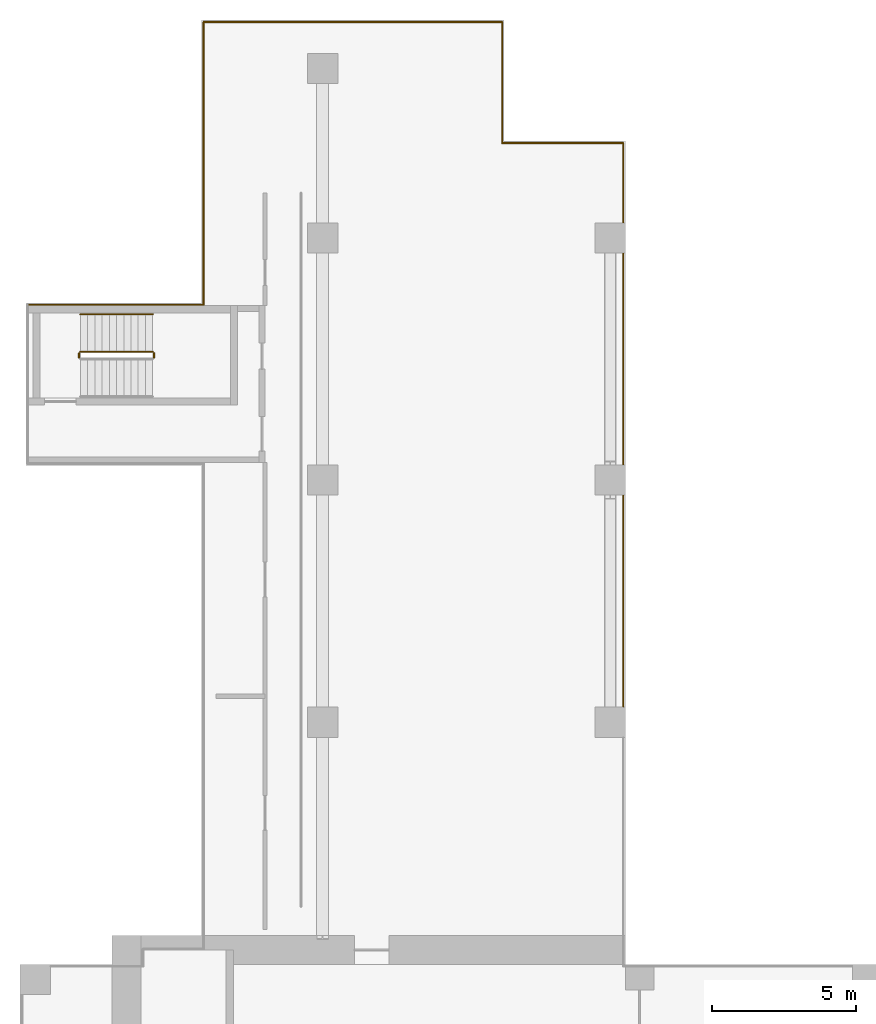
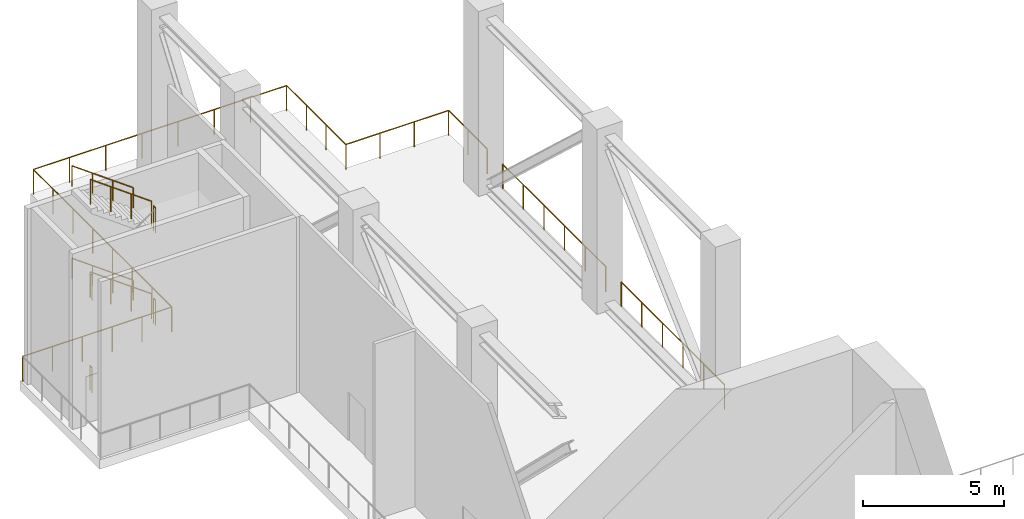
# One storey, part 9 of 10: 16 railings.
"""IFC4 building model written with IfcOpenShell, lengths in metres."""

from ifc_helpers import new_model, si_unit, direction, frame, origin, origin_2d, place, context, subcontext, project, spatial, circle, extrude, source, transform, mapped, material, type_object, element, save


model = new_model("IFC4")

# Units and contexts
model_context = context("Model", 3, precision=1e-05, world=origin(), true_north=direction((0.0, 1.0)))
body_context = subcontext(model_context, "Body", "Model", "MODEL_VIEW")
ifc_project = project(units=[si_unit("LENGTHUNIT", "METRE"), si_unit("AREAUNIT", "SQUARE_METRE"), si_unit("VOLUMEUNIT", "CUBIC_METRE"), si_unit("PLANEANGLEUNIT", "RADIAN"), si_unit("MASSUNIT", "GRAM", prefix="KILO")], contexts=[model_context])

# Site, building, storey
site_placement = place(None, origin())
site = spatial("IfcSite", under=ifc_project, at=site_placement, CompositionType="ELEMENT")
building_placement = place(site_placement, origin())
building = spatial("IfcBuilding", under=site, at=building_placement, Name="Aurelian Terraces", CompositionType="ELEMENT")
storey_placement = place(building_placement, frame((0.0, 0.0, 162.3)))
storey = spatial("IfcBuildingStorey", under=building, at=storey_placement, Name="L36", CompositionType="ELEMENT", Elevation=162.3)

# Railings
ifc_material_1 = material(Name="Anodised aluminium", Category="aluminium")
railing_type_1 = type_object("IfcRailingType", Name="GUARD-1100", PredefinedType="GUARDRAIL", material=ifc_material_1)
railing_1_placement = place(storey_placement, frame((0.27, 43.88, 0.0)))
element("IfcRailing", 1, at=railing_1_placement, inside=storey, type_object=railing_type_1, Name="Wind floor guard L36 24", PredefinedType="GUARDRAIL", context=body_context, shape_type="SweptSolid", body=[
    extrude(circle(Radius=0.024, at=origin_2d()), frame((0.0, 0.0, 1.076), z_axis=(1.0, 0.0, 0.0), x_axis=(0.0, 1.0, 0.0)), (0.0, 0.0, 1.0), 6.1),
    extrude(circle(Radius=0.021, at=origin_2d()), origin(), (0.0, 0.0, 1.0), 1.052),
    extrude(circle(Radius=0.021, at=origin_2d()), frame((1.22, 0.0, 0.0)), (0.0, 0.0, 1.0), 1.052),
    extrude(circle(Radius=0.021, at=origin_2d()), frame((2.44, 0.0, 0.0)), (0.0, 0.0, 1.0), 1.052),
    extrude(circle(Radius=0.021, at=origin_2d()), frame((3.66, 0.0, 0.0)), (0.0, 0.0, 1.0), 1.052),
    extrude(circle(Radius=0.021, at=origin_2d()), frame((4.88, 0.0, 0.0)), (0.0, 0.0, 1.0), 1.052),
    extrude(circle(Radius=0.021, at=origin_2d()), frame((6.1, 0.0, 0.0)), (0.0, 0.0, 1.0), 1.052),
])
railing_2_placement = place(storey_placement, frame((6.37, 43.88, 0.0)))
element("IfcRailing", 2, at=railing_2_placement, inside=storey, type_object=railing_type_1, Name="Wind floor guard L36 25", PredefinedType="GUARDRAIL", context=body_context, shape_type="SweptSolid", body=[
    extrude(circle(Radius=0.024, at=origin_2d()), frame((0.0, 0.0, 1.076), z_axis=(0.0, 1.0, 0.0), x_axis=(-1.0, 0.0, 0.0)), (0.0, 0.0, 1.0), 9.81),
    extrude(circle(Radius=0.021, at=origin_2d()), origin(), (0.0, 0.0, 1.0), 1.052),
    extrude(circle(Radius=0.021, at=origin_2d()), frame((0.0, 1.4014, 0.0)), (0.0, 0.0, 1.0), 1.052),
    extrude(circle(Radius=0.021, at=origin_2d()), frame((0.0, 2.8029, 0.0)), (0.0, 0.0, 1.0), 1.052),
    extrude(circle(Radius=0.021, at=origin_2d()), frame((0.0, 4.2043, 0.0)), (0.0, 0.0, 1.0), 1.052),
    extrude(circle(Radius=0.021, at=origin_2d()), frame((0.0, 5.6057, 0.0)), (0.0, 0.0, 1.0), 1.052),
    extrude(circle(Radius=0.021, at=origin_2d()), frame((0.0, 7.0071, 0.0)), (0.0, 0.0, 1.0), 1.052),
    extrude(circle(Radius=0.021, at=origin_2d()), frame((0.0, 8.4086, 0.0)), (0.0, 0.0, 1.0), 1.052),
    extrude(circle(Radius=0.021, at=origin_2d()), frame((0.0, 9.81, 0.0)), (0.0, 0.0, 1.0), 1.052),
])
railing_3_placement = place(storey_placement, frame((6.37, 53.69, 0.0)))
element("IfcRailing", 3, at=railing_3_placement, inside=storey, type_object=railing_type_1, Name="Wind floor guard L36 26", PredefinedType="GUARDRAIL", context=body_context, shape_type="SweptSolid", body=[
    extrude(circle(Radius=0.024, at=origin_2d()), frame((0.0, 0.0, 1.076), z_axis=(1.0, 0.0, 0.0), x_axis=(0.0, 1.0, 0.0)), (0.0, 0.0, 1.0), 10.36),
    extrude(circle(Radius=0.021, at=origin_2d()), origin(), (0.0, 0.0, 1.0), 1.052),
    extrude(circle(Radius=0.021, at=origin_2d()), frame((1.48, 0.0, 0.0)), (0.0, 0.0, 1.0), 1.052),
    extrude(circle(Radius=0.021, at=origin_2d()), frame((2.96, 0.0, 0.0)), (0.0, 0.0, 1.0), 1.052),
    extrude(circle(Radius=0.021, at=origin_2d()), frame((4.44, 0.0, 0.0)), (0.0, 0.0, 1.0), 1.052),
    extrude(circle(Radius=0.021, at=origin_2d()), frame((5.92, 0.0, 0.0)), (0.0, 0.0, 1.0), 1.052),
    extrude(circle(Radius=0.021, at=origin_2d()), frame((7.4, 0.0, 0.0)), (0.0, 0.0, 1.0), 1.052),
    extrude(circle(Radius=0.021, at=origin_2d()), frame((8.88, 0.0, 0.0)), (0.0, 0.0, 1.0), 1.052),
    extrude(circle(Radius=0.021, at=origin_2d()), frame((10.36, 0.0, 0.0)), (0.0, 0.0, 1.0), 1.052),
])
railing_4_placement = place(storey_placement, frame((20.93, 49.49, 0.0)))
element("IfcRailing", 4, at=railing_4_placement, inside=storey, type_object=railing_type_1, Name="Wind floor guard L36 29", PredefinedType="GUARDRAIL", context=body_context, shape_type="SweptSolid", body=[
    extrude(circle(Radius=0.024, at=origin_2d()), frame((0.0, 0.0, 1.076), z_axis=(0.0, -1.0, 0.0), x_axis=(1.0, 0.0, 0.0)), (0.0, 0.0, 1.0), 2.745),
    extrude(circle(Radius=0.021, at=origin_2d()), origin(), (0.0, 0.0, 1.0), 1.052),
    extrude(circle(Radius=0.021, at=origin_2d()), frame((0.0, -1.3725, 0.0)), (0.0, 0.0, 1.0), 1.052),
    extrude(circle(Radius=0.021, at=origin_2d()), frame((0.0, -2.745, 0.0)), (0.0, 0.0, 1.0), 1.052),
])
railing_5_placement = place(storey_placement, frame((20.93, 45.655, 0.0)))
element("IfcRailing", 5, at=railing_5_placement, inside=storey, type_object=railing_type_1, Name="Wind floor guard L36 30", PredefinedType="GUARDRAIL", context=body_context, shape_type="SweptSolid", body=[
    extrude(circle(Radius=0.024, at=origin_2d()), frame((0.0, 0.0, 1.076), z_axis=(0.0, -1.0, 0.0), x_axis=(1.0, 0.0, 0.0)), (0.0, 0.0, 1.0), 7.31),
    extrude(circle(Radius=0.021, at=origin_2d()), origin(), (0.0, 0.0, 1.0), 1.052),
    extrude(circle(Radius=0.021, at=origin_2d()), frame((0.0, -1.462, 0.0)), (0.0, 0.0, 1.0), 1.052),
    extrude(circle(Radius=0.021, at=origin_2d()), frame((0.0, -2.924, 0.0)), (0.0, 0.0, 1.0), 1.052),
    extrude(circle(Radius=0.021, at=origin_2d()), frame((0.0, -4.386, 0.0)), (0.0, 0.0, 1.0), 1.052),
    extrude(circle(Radius=0.021, at=origin_2d()), frame((0.0, -5.848, 0.0)), (0.0, 0.0, 1.0), 1.052),
    extrude(circle(Radius=0.021, at=origin_2d()), frame((0.0, -7.31, 0.0)), (0.0, 0.0, 1.0), 1.052),
])
ifc_material_2 = material(Name="Stainless steel", Category="steel")
railing_type_2 = type_object("IfcRailingType", Name="Stair guard 1100", PredefinedType="GUARDRAIL", material=ifc_material_2)
railing_6_placement = place(storey_placement, frame((4.6, 42.25, 2.1818)))
element("IfcRailing", 6, at=railing_6_placement, inside=storey, type_object=railing_type_2, Name="L36 S3 stair guard 3", PredefinedType="GUARDRAIL", context=body_context, shape_type="SweptSolid", body=[
    extrude(circle(Radius=0.024, at=origin_2d()), frame((0.0, 0.0, 1.076), z_axis=(-0.808733286514, 0.0, 0.588175544616), x_axis=(0.0, -1.0, 0.0)), (0.0, 0.0, 1.0), 3.0913),
    extrude(circle(Radius=0.021, at=origin_2d()), origin(), (0.0, 0.0, 1.0), 1.052),
    extrude(circle(Radius=0.021, at=origin_2d()), frame((-0.8333, 0.0, 0.6061)), (0.0, 0.0, 1.0), 1.052),
    extrude(circle(Radius=0.021, at=origin_2d()), frame((-1.6667, 0.0, 1.2121)), (0.0, 0.0, 1.0), 1.052),
    extrude(circle(Radius=0.021, at=origin_2d()), frame((-2.5, 0.0, 1.8182)), (0.0, 0.0, 1.0), 1.052),
])
railing_type_3 = type_object("IfcRailingType", Name="Stair handrail", PredefinedType="HANDRAIL", material=ifc_material_2)
railing_7_placement = place(storey_placement, frame((4.6, 43.55, 2.1818)))
element("IfcRailing", 7, at=railing_7_placement, inside=storey, type_object=railing_type_3, Name="L36 S3 stair handrail 2", PredefinedType="HANDRAIL", context=body_context, shape_type="SweptSolid", body=[
    extrude(circle(Radius=0.024, at=origin_2d()), frame((0.0, 0.0, 0.876), z_axis=(-0.808733286514, 0.0, 0.588175544616), x_axis=(0.0, -1.0, 0.0)), (0.0, 0.0, 1.0), 3.0913),
    extrude(circle(Radius=0.021, at=origin_2d()), origin(), (0.0, 0.0, 1.0), 0.852),
    extrude(circle(Radius=0.021, at=origin_2d()), frame((-0.8333, 0.0, 0.6061)), (0.0, 0.0, 1.0), 0.852),
    extrude(circle(Radius=0.021, at=origin_2d()), frame((-1.6667, 0.0, 1.2121)), (0.0, 0.0, 1.0), 0.852),
    extrude(circle(Radius=0.021, at=origin_2d()), frame((-2.5, 0.0, 1.8182)), (0.0, 0.0, 1.0), 0.852),
])
shared_shape_1 = source(origin(), body_context, "Body", "SweptSolid", [
    extrude(circle(Radius=0.024, at=origin_2d()), frame((0.0, 0.0, 1.076), z_axis=(0.0, -1.0, 0.0), x_axis=(1.0, 0.0, 0.0)), (0.0, 0.0, 1.0), 4.2),
    extrude(circle(Radius=0.021, at=origin_2d()), origin(), (0.0, 0.0, 1.0), 1.052),
    extrude(circle(Radius=0.021, at=origin_2d()), frame((0.0, -1.4, 0.0)), (0.0, 0.0, 1.0), 1.052),
    extrude(circle(Radius=0.021, at=origin_2d()), frame((0.0, -2.8, 0.0)), (0.0, 0.0, 1.0), 1.052),
    extrude(circle(Radius=0.021, at=origin_2d()), frame((0.0, -4.2, 0.0)), (0.0, 0.0, 1.0), 1.052),
])
railing_8_placement = place(storey_placement, frame((16.73, 53.69, 0.0)))
element("IfcRailing", 8, at=railing_8_placement, inside=storey, type_object=railing_type_1, Name="Wind floor guard L36 27", PredefinedType="GUARDRAIL", context=body_context, shape_type="MappedRepresentation", body=[
    mapped(shared_shape_1, transform((0.0, 0.0, 0.0), scale=1.0)),
])
shared_shape_2 = source(origin(), body_context, "Body", "SweptSolid", [
    extrude(circle(Radius=0.024, at=origin_2d()), frame((0.0, 0.0, 1.076), z_axis=(1.0, 0.0, 0.0), x_axis=(0.0, 1.0, 0.0)), (0.0, 0.0, 1.0), 4.2),
    extrude(circle(Radius=0.021, at=origin_2d()), origin(), (0.0, 0.0, 1.0), 1.052),
    extrude(circle(Radius=0.021, at=origin_2d()), frame((1.4, 0.0, 0.0)), (0.0, 0.0, 1.0), 1.052),
    extrude(circle(Radius=0.021, at=origin_2d()), frame((2.8, 0.0, 0.0)), (0.0, 0.0, 1.0), 1.052),
    extrude(circle(Radius=0.021, at=origin_2d()), frame((4.2, 0.0, 0.0)), (0.0, 0.0, 1.0), 1.052),
])
railing_9_placement = place(storey_placement, frame((16.73, 49.49, 0.0)))
element("IfcRailing", 9, at=railing_9_placement, inside=storey, type_object=railing_type_1, Name="Wind floor guard L36 28", PredefinedType="GUARDRAIL", context=body_context, shape_type="MappedRepresentation", body=[
    mapped(shared_shape_2, transform((0.0, 0.0, 0.0), scale=1.0)),
])
shared_shape_3 = source(origin(), body_context, "Body", "SweptSolid", [
    extrude(circle(Radius=0.024, at=origin_2d()), frame((0.0, 0.0, 1.076), z_axis=(0.0, -1.0, 0.0), x_axis=(1.0, 0.0, 0.0)), (0.0, 0.0, 1.0), 7.31),
    extrude(circle(Radius=0.021, at=origin_2d()), origin(), (0.0, 0.0, 1.0), 1.052),
    extrude(circle(Radius=0.021, at=origin_2d()), frame((0.0, -1.462, 0.0)), (0.0, 0.0, 1.0), 1.052),
    extrude(circle(Radius=0.021, at=origin_2d()), frame((0.0, -2.924, 0.0)), (0.0, 0.0, 1.0), 1.052),
    extrude(circle(Radius=0.021, at=origin_2d()), frame((0.0, -4.386, 0.0)), (0.0, 0.0, 1.0), 1.052),
    extrude(circle(Radius=0.021, at=origin_2d()), frame((0.0, -5.848, 0.0)), (0.0, 0.0, 1.0), 1.052),
    extrude(circle(Radius=0.021, at=origin_2d()), frame((0.0, -7.31, 0.0)), (0.0, 0.0, 1.0), 1.052),
])
railing_10_placement = place(storey_placement, frame((20.93, 37.255, 0.0)))
element("IfcRailing", 10, at=railing_10_placement, inside=storey, type_object=railing_type_1, Name="Wind floor guard L36 31", PredefinedType="GUARDRAIL", context=body_context, shape_type="MappedRepresentation", body=[
    mapped(shared_shape_3, transform((0.0, 0.0, 0.0), scale=1.0)),
])
shared_shape_4 = source(origin(), body_context, "Body", "SweptSolid", [
    extrude(circle(Radius=0.024, at=origin_2d()), frame((0.0, 0.0, 1.076), z_axis=(0.0, 1.0, 0.0), x_axis=(-1.0, 0.0, 0.0)), (0.0, 0.0, 1.0), 0.15),
    extrude(circle(Radius=0.021, at=origin_2d()), origin(), (0.0, 0.0, 1.0), 1.052),
    extrude(circle(Radius=0.021, at=origin_2d()), frame((0.0, 0.15, 0.0)), (0.0, 0.0, 1.0), 1.052),
])
for number, where, name in (
    (11, (4.65, 42.05, 2.0), "L36 S3 stair guard 2"),
    (12, (2.05, 42.05, 4.0), "L36 S3 stair guard 4"),
    (13, (4.65, 42.05, 6.0), "L36 S3 stair guard 6"),
    (14, (2.05, 42.05, 0.0), "L36 S3 stair guard 8"),
):
    element("IfcRailing", number, at=place(storey_placement, frame(where)), inside=storey, type_object=railing_type_2, Name=name, PredefinedType="GUARDRAIL", context=body_context, shape_type="MappedRepresentation", body=[
        mapped(shared_shape_4, transform((0.0, 0.0, 0.0), scale=1.0)),
    ])
shared_shape_5 = source(origin(), body_context, "Body", "SweptSolid", [
    extrude(circle(Radius=0.024, at=origin_2d()), frame((0.0, 0.0, 1.076), z_axis=(-0.808733286514, 0.0, 0.588175544616), x_axis=(0.0, -1.0, 0.0)), (0.0, 0.0, 1.0), 3.0913),
    extrude(circle(Radius=0.021, at=origin_2d()), origin(), (0.0, 0.0, 1.0), 1.052),
    extrude(circle(Radius=0.021, at=origin_2d()), frame((-0.8333, 0.0, 0.6061)), (0.0, 0.0, 1.0), 1.052),
    extrude(circle(Radius=0.021, at=origin_2d()), frame((-1.6667, 0.0, 1.2121)), (0.0, 0.0, 1.0), 1.052),
    extrude(circle(Radius=0.021, at=origin_2d()), frame((-2.5, 0.0, 1.8182)), (0.0, 0.0, 1.0), 1.052),
])
railing_11_placement = place(storey_placement, frame((4.6, 42.25, 6.1818)))
element("IfcRailing", 15, at=railing_11_placement, inside=storey, type_object=railing_type_2, Name="L36 S3 stair guard 7", PredefinedType="GUARDRAIL", context=body_context, shape_type="MappedRepresentation", body=[
    mapped(shared_shape_5, transform((0.0, 0.0, 0.0), scale=1.0)),
])
shared_shape_6 = source(origin(), body_context, "Body", "SweptSolid", [
    extrude(circle(Radius=0.024, at=origin_2d()), frame((0.0, 0.0, 0.876), z_axis=(-0.808733286514, 0.0, 0.588175544616), x_axis=(0.0, -1.0, 0.0)), (0.0, 0.0, 1.0), 3.0913),
    extrude(circle(Radius=0.021, at=origin_2d()), origin(), (0.0, 0.0, 1.0), 0.852),
    extrude(circle(Radius=0.021, at=origin_2d()), frame((-0.8333, 0.0, 0.6061)), (0.0, 0.0, 1.0), 0.852),
    extrude(circle(Radius=0.021, at=origin_2d()), frame((-1.6667, 0.0, 1.2121)), (0.0, 0.0, 1.0), 0.852),
    extrude(circle(Radius=0.021, at=origin_2d()), frame((-2.5, 0.0, 1.8182)), (0.0, 0.0, 1.0), 0.852),
])
railing_12_placement = place(storey_placement, frame((4.6, 43.55, 6.1818)))
element("IfcRailing", 16, at=railing_12_placement, inside=storey, type_object=railing_type_3, Name="L36 S3 stair handrail 4", PredefinedType="HANDRAIL", context=body_context, shape_type="MappedRepresentation", body=[
    mapped(shared_shape_6, transform((0.0, 0.0, 0.0), scale=1.0)),
])

save(model, "model.ifc")
